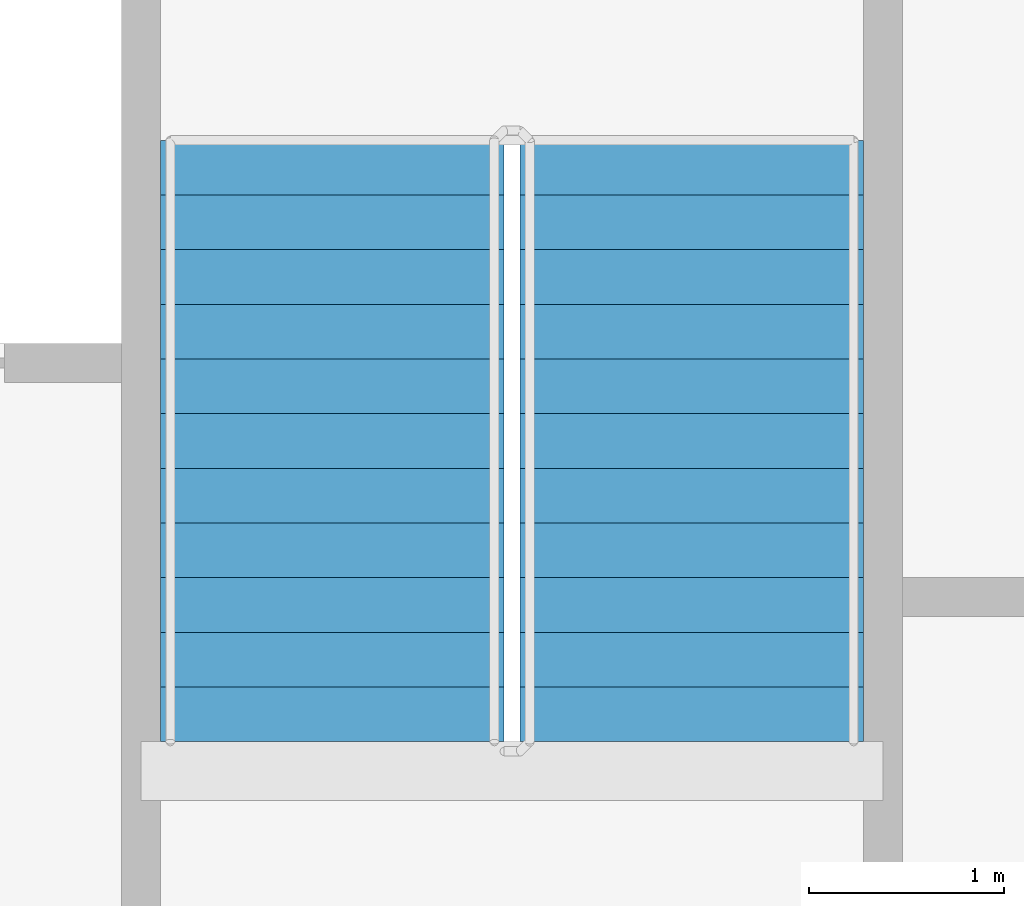
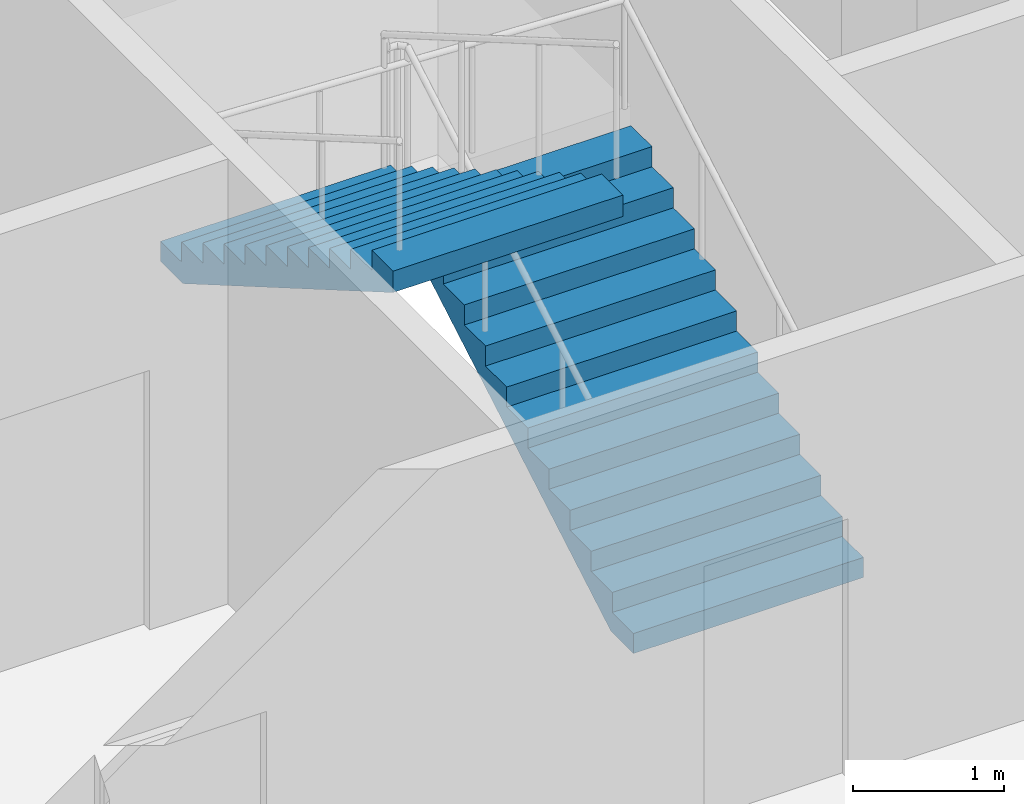
# One storey, part 10 of 12: 2 stair flights, 1 element without a shape of its own.
"""IFC4 building model written with IfcOpenShell, lengths in metres."""

import ifcopenshell
import ifcopenshell.guid

model = None  # the IFC model being written
_history = None  # IfcOwnerHistory: only IFC2X3 demands one
_inside = {}  # id of a spatial element -> (the spatial element, [elements in it])
_under = {}  # id of a project, library or spatial element -> (it, [spatial elements below it])
_declared = {}  # id of a project -> (the project, [libraries it declares])
_typed = {}  # id of a type object -> (the type object, [elements of that type])
_made_of = {}  # id of a material, layer set ... -> (it, [elements and type objects made of it])


def new_model(schema):
    """Start an empty IFC model of exactly this schema.

    Asked for "IFC4X3", IfcOpenShell would pick the latest addendum, in which some entities
    have other attributes; the version numbers below select the first issue.
    IFC2X3 requires an IfcOwnerHistory on every rooted entity: one is made here for all.
    """
    global model, _history
    if schema == "IFC4X3":
        model = ifcopenshell.file(schema_version=(4, 3, 0, 0))
    else:
        model = ifcopenshell.file(schema=schema)
    _inside.clear()
    _under.clear()
    _declared.clear()
    _typed.clear()
    _made_of.clear()
    _history = None
    if model.schema == "IFC2X3":
        org = make("IfcOrganization", Name="unknown")
        user = make(
            "IfcPersonAndOrganization",
            ThePerson=make("IfcPerson", FamilyName="unknown"),
            TheOrganization=org,
        )
        app = make(
            "IfcApplication",
            ApplicationDeveloper=org,
            Version="unknown",
            ApplicationFullName="unknown",
            ApplicationIdentifier="unknown",
        )
        _history = make(
            "IfcOwnerHistory",
            OwningUser=user,
            OwningApplication=app,
            ChangeAction="ADDED",
            CreationDate=0,
        )
    return model


def make(cls, **values):
    """One entity of the class cls with the attributes given. An attribute that is None is left unset."""
    return model.create_entity(
        cls, **{name: value for name, value in values.items() if value is not None}
    )


def rooted(cls, **values):
    """An entity with a GlobalId (a new one), such as an element, a storey or a relation."""
    return make(cls, GlobalId=ifcopenshell.guid.new(), OwnerHistory=_history, **values)


def si_unit(unit_type, name, prefix=None):
    """IfcSIUnit, for example si_unit("LENGTHUNIT", "METRE", prefix="MILLI")."""
    return make("IfcSIUnit", UnitType=unit_type, Prefix=prefix, Name=name)


def assignment(units):
    """IfcUnitAssignment: the units of a project."""
    return None if units is None else make("IfcUnitAssignment", Units=units)


def point(xyz):
    """IfcCartesianPoint."""
    return None if xyz is None else make("IfcCartesianPoint", Coordinates=xyz)


def direction(xyz):
    """IfcDirection."""
    return None if xyz is None else make("IfcDirection", DirectionRatios=xyz)


def frame(location, z_axis=None, x_axis=None):
    """IfcAxis2Placement3D, a coordinate frame: its origin and axes. An axis left out is left unset."""
    return make(
        "IfcAxis2Placement3D",
        Location=point(location),
        Axis=direction(z_axis),
        RefDirection=direction(x_axis),
    )


def origin():
    """The frame at (0, 0, 0) with its axes left unset."""
    return frame((0.0, 0.0, 0.0))


def place(relative_to, where):
    """IfcLocalPlacement: puts the frame where relative to a parent placement (None: the world)."""
    return make(
        "IfcLocalPlacement", PlacementRelTo=relative_to, RelativePlacement=where
    )


def context(
    kind, dimensions, precision=None, world=None, true_north=None, identifier=None
):
    """IfcGeometricRepresentationContext, for example the 3D "Model" context."""
    return make(
        "IfcGeometricRepresentationContext",
        ContextIdentifier=identifier,
        ContextType=kind,
        CoordinateSpaceDimension=dimensions,
        Precision=precision,
        WorldCoordinateSystem=world,
        TrueNorth=true_north,
    )


def subcontext(parent, identifier, kind, view, scale=None):
    """IfcGeometricRepresentationSubContext, for example "Body" below "Model"."""
    return make(
        "IfcGeometricRepresentationSubContext",
        ContextIdentifier=identifier,
        ContextType=kind,
        ParentContext=parent,
        TargetScale=scale,
        TargetView=view,
    )


def project(units=None, contexts=None):
    """IfcProject with its units and contexts."""
    return rooted(
        "IfcProject",
        Name="project",
        RepresentationContexts=contexts,
        UnitsInContext=assignment(units),
    )


def spatial(cls, under=None, at=None, **own):
    """A site, building, storey or space (cls), placed at a placement, below another one or the project."""
    s = rooted(cls, ObjectPlacement=at, **own)
    if under is not None:
        _under.setdefault(under.id(), (under, []))[1].append(s)
    return s


def faces_of(points, faces, orient=None, outer=None):
    """IfcFace entities. A face is a list of loops; a loop is a list of indices into points, from 0.

    orient and outer hold one flag for each loop. By default every Orientation is true, the
    first loop of a face is its IfcFaceOuterBound and the others are IfcFaceBound.
    """
    made = []
    for i, loops in enumerate(faces):
        bounds = []
        for j, loop in enumerate(loops):
            is_outer = j == 0 if outer is None else outer[i][j]
            bounds.append(
                make(
                    "IfcFaceOuterBound" if is_outer else "IfcFaceBound",
                    Bound=make("IfcPolyLoop", Polygon=[points[k] for k in loop]),
                    Orientation=True if orient is None else orient[i][j],
                )
            )
        made.append(make("IfcFace", Bounds=bounds))
    return made


def faceted_brep(points, faces, orient=None, outer=None, voids=None):
    """IfcFacetedBrep: a solid bounded by flat faces; with voids (closed shells), ...WithVoids."""
    shared = [point(p) for p in points]
    hull = make("IfcClosedShell", CfsFaces=faces_of(shared, faces, orient, outer))
    if voids is None:
        return make("IfcFacetedBrep", Outer=hull)
    return make(
        "IfcFacetedBrepWithVoids",
        Outer=hull,
        Voids=[
            make(cls, CfsFaces=faces_of(shared, fs, o, b)) for cls, fs, o, b in voids
        ],
    )


def shape(context_of_items, identifier, shape_type, items):
    """IfcShapeRepresentation: the items that make up one representation, for example the "Body"."""
    return make(
        "IfcShapeRepresentation",
        ContextOfItems=context_of_items,
        RepresentationIdentifier=identifier,
        RepresentationType=shape_type,
        Items=items,
    )


def material(Name=None, Category=None):
    """IfcMaterial."""
    return make("IfcMaterial", Name=Name, Category=Category)


def made_of(thing, what):
    """Note that an element or type object is made of a material, layer set ...; save() writes the relation."""
    if what is not None:
        _made_of.setdefault(what.id(), (what, []))[1].append(thing)
    return thing


def type_object(cls, material=None, **own):
    """A type object (cls), such as IfcWallType, which elements share."""
    return made_of(rooted(cls, **own), material)


def element(
    cls,
    number,
    at=None,
    inside=None,
    cuts=None,
    type_object=None,
    material=None,
    context=None,
    identifier="Body",
    shape_type=None,
    held_by="IfcProductDefinitionShape",
    body=None,
    shapes=None,
    **own,
):
    """One element of the class cls, such as IfcWall. Its Tag is "e" and its number.

    at: its placement. inside: the storey or other place that contains it. cuts: it is an
    opening in that element (IfcRelVoidsElement). A single representation is given by context,
    identifier, shape_type and body (its items); several are given by shapes. held_by: the class
    of the entity that holds the representations. save() writes the other relations.
    """
    e = rooted(cls, Tag="e%d" % number, ObjectPlacement=at, **own)
    if body is not None:
        shapes = [shape(context, identifier, shape_type, body)]
    if shapes is not None:
        e.Representation = make(held_by, Representations=shapes)
    if inside is not None:
        _inside.setdefault(inside.id(), (inside, []))[1].append(e)
    if cuts is not None:
        rooted(
            "IfcRelVoidsElement", RelatingBuildingElement=cuts, RelatedOpeningElement=e
        )
    if type_object is not None:
        _typed.setdefault(type_object.id(), (type_object, []))[1].append(e)
    return made_of(e, material)


def aggregate(whole, parts):
    """IfcRelAggregates: a whole, such as a stair, and the parts it consists of."""
    return rooted("IfcRelAggregates", RelatingObject=whole, RelatedObjects=parts)


def save(model, path):
    """Write the relations noted so far, then the file.

    IfcRelAggregates (storeys below a building ...), IfcRelContainedInSpatialStructure (elements
    in a storey), IfcRelDefinesByType, IfcRelAssociatesMaterial and IfcRelDeclares: one each for
    every whole, place, type object, material and project.
    """
    for whole, parts in _under.values():
        aggregate(whole, parts)
    for where, things in _inside.values():
        rooted(
            "IfcRelContainedInSpatialStructure",
            RelatedElements=things,
            RelatingStructure=where,
        )
    for kind, things in _typed.values():
        rooted("IfcRelDefinesByType", RelatedObjects=things, RelatingType=kind)
    for what, things in _made_of.values():
        rooted("IfcRelAssociatesMaterial", RelatedObjects=things, RelatingMaterial=what)
    for by, libraries in _declared.values():
        rooted("IfcRelDeclares", RelatingContext=by, RelatedDefinitions=libraries)
    model.write(path)


model = new_model("IFC4")

# Units and contexts
model_context = context("Model", 3, precision=1e-05, world=origin(), true_north=direction((0.0, 1.0)))
body_context = subcontext(model_context, "Body", "Model", "MODEL_VIEW")
ifc_project = project(units=[si_unit("LENGTHUNIT", "METRE"), si_unit("AREAUNIT", "SQUARE_METRE"), si_unit("VOLUMEUNIT", "CUBIC_METRE"), si_unit("PLANEANGLEUNIT", "RADIAN"), si_unit("MASSUNIT", "GRAM", prefix="KILO")], contexts=[model_context])

# Site, building, storey
site_placement = place(None, origin())
site = spatial("IfcSite", under=ifc_project, at=site_placement, CompositionType="ELEMENT")
building_placement = place(site_placement, origin())
building = spatial("IfcBuilding", under=site, at=building_placement, Name="Tarsis Ring Headquarters", CompositionType="ELEMENT")
storey_placement = place(building_placement, frame((0.0, 0.0, 82.89990234375)))
storey = spatial("IfcBuildingStorey", under=building, at=storey_placement, Name="L18", CompositionType="ELEMENT", Elevation=82.89990234375)

# Stair, stair flights
ifc_material_1 = material(Name="Core stair 1760")
stair_type = type_object("IfcStairType", Name="Core stair 1760", PredefinedType="HALF_TURN_STAIR", material=ifc_material_1)
stair_placement = place(storey_placement, origin())
stair = element("IfcStair", 1, at=stair_placement, inside=storey, type_object=stair_type, Name="L18 Exit stair B", PredefinedType="HALF_TURN_STAIR")
ifc_material_2 = material(Name="Concrete C40/50", Category="concrete")
stair_flight_type = type_object("IfcStairFlightType", Name="Core stair flight 1760", PredefinedType="STRAIGHT", material=ifc_material_2)
stair_flight_1_placement = place(storey_placement, frame((5.419921875, 3.659912109375, 0.0), z_axis=(0.0, 0.0, 1.0), x_axis=(0.0, 1.0, 0.0)))
stair_flight_1 = element("IfcStairFlight", 2, at=stair_flight_1_placement, type_object=stair_flight_type, Name="Stair ST2 flight 1", NumberOfRisers=12, NumberOfTreads=11, PredefinedType="STRAIGHT", RiserHeight=0.1625, TreadLength=0.28, context=body_context, shape_type="Brep", body=[
    faceted_brep([(0.0, 0.8798828125, 0.0), (0.0, 0.8798828125, 0.16259765625), (0.280029296875, 0.8798828125, 0.16259765625), (0.280029296875, 0.8798828125, 0.324951171875), (0.56005859375, 0.8798828125, 0.324951171875), (0.56005859375, 0.8798828125, 0.487548828125), (0.840087890625, 0.8798828125, 0.487548828125), (0.840087890625, 0.8798828125, 0.64990234375), (1.1201171875, 0.8798828125, 0.64990234375), (1.1201171875, 0.8798828125, 0.8125), (1.39990234375, 0.8798828125, 0.8125), (1.39990234375, 0.8798828125, 0.97509765625), (1.679931640625, 0.8798828125, 0.97509765625), (1.679931640625, 0.8798828125, 1.137451171875), (1.9599609375, 0.8798828125, 1.137451171875), (1.9599609375, 0.8798828125, 1.300048828125), (2.239990234375, 0.8798828125, 1.300048828125), (2.239990234375, 0.8798828125, 1.46240234375), (2.52001953125, 0.8798828125, 1.46240234375), (2.52001953125, 0.8798828125, 1.625), (2.800048828125, 0.8798828125, 1.625), (2.800048828125, 0.8798828125, 1.78759765625), (3.080078125, 0.8798828125, 1.78759765625), (3.080078125, 0.8798828125, 1.6142578125), (0.298583984375, 0.8798828125, 0.0), (0.298583984375, -0.8798828125, 0.0), (3.080078125, -0.8798828125, 1.6142578125), (3.080078125, -0.8798828125, 1.78759765625), (2.800048828125, -0.8798828125, 1.78759765625), (2.800048828125, -0.8798828125, 1.625), (2.52001953125, -0.8798828125, 1.625), (2.52001953125, -0.8798828125, 1.46240234375), (2.239990234375, -0.8798828125, 1.46240234375), (2.239990234375, -0.8798828125, 1.300048828125), (1.9599609375, -0.8798828125, 1.300048828125), (1.9599609375, -0.8798828125, 1.137451171875), (1.679931640625, -0.8798828125, 1.137451171875), (1.679931640625, -0.8798828125, 0.97509765625), (1.39990234375, -0.8798828125, 0.97509765625), (1.39990234375, -0.8798828125, 0.8125), (1.1201171875, -0.8798828125, 0.8125), (1.1201171875, -0.8798828125, 0.64990234375), (0.840087890625, -0.8798828125, 0.64990234375), (0.840087890625, -0.8798828125, 0.487548828125), (0.56005859375, -0.8798828125, 0.487548828125), (0.56005859375, -0.8798828125, 0.324951171875), (0.280029296875, -0.8798828125, 0.324951171875), (0.280029296875, -0.8798828125, 0.16259765625), (0.0, -0.8798828125, 0.16259765625), (0.0, -0.8798828125, 0.0), (0.0, -0.43994140625, 0.16259765625), (0.0, -0.43994140625, 0.0), (0.0, 0.0, 0.16259765625), (0.0, 0.0, 0.0), (0.0, 0.43994140625, 0.16259765625), (0.0, 0.43994140625, 0.0), (0.280029296875, -0.43994140625, 0.16259765625), (0.280029296875, 0.0, 0.16259765625), (0.280029296875, 0.43994140625, 0.16259765625), (0.280029296875, -0.43994140625, 0.324951171875), (0.280029296875, 0.0, 0.324951171875), (0.280029296875, 0.43994140625, 0.324951171875), (0.56005859375, -0.43994140625, 0.324951171875), (0.56005859375, 0.0, 0.324951171875), (0.56005859375, 0.43994140625, 0.324951171875), (0.56005859375, -0.43994140625, 0.487548828125), (0.56005859375, 0.0, 0.487548828125), (0.56005859375, 0.43994140625, 0.487548828125), (0.840087890625, -0.43994140625, 0.487548828125), (0.840087890625, 0.0, 0.487548828125), (0.840087890625, 0.43994140625, 0.487548828125), (0.840087890625, -0.43994140625, 0.64990234375), (0.840087890625, 0.0, 0.64990234375), (0.840087890625, 0.43994140625, 0.64990234375), (1.1201171875, -0.43994140625, 0.64990234375), (1.1201171875, 0.0, 0.64990234375), (1.1201171875, 0.43994140625, 0.64990234375), (1.1201171875, -0.43994140625, 0.8125), (1.1201171875, 0.0, 0.8125), (1.1201171875, 0.43994140625, 0.8125), (1.39990234375, -0.43994140625, 0.8125), (1.39990234375, 0.0, 0.8125), (1.39990234375, 0.43994140625, 0.8125), (1.39990234375, -0.43994140625, 0.97509765625), (1.39990234375, 0.0, 0.97509765625), (1.39990234375, 0.43994140625, 0.97509765625), (1.679931640625, -0.43994140625, 0.97509765625), (1.679931640625, 0.0, 0.97509765625), (1.679931640625, 0.43994140625, 0.97509765625), (1.679931640625, -0.43994140625, 1.137451171875), (1.679931640625, 0.0, 1.137451171875), (1.679931640625, 0.43994140625, 1.137451171875), (1.9599609375, -0.43994140625, 1.137451171875), (1.9599609375, 0.0, 1.137451171875), (1.9599609375, 0.43994140625, 1.137451171875), (1.9599609375, -0.43994140625, 1.300048828125), (1.9599609375, 0.0, 1.300048828125), (1.9599609375, 0.43994140625, 1.300048828125), (2.239990234375, -0.43994140625, 1.300048828125), (2.239990234375, 0.0, 1.300048828125), (2.239990234375, 0.43994140625, 1.300048828125), (2.239990234375, -0.43994140625, 1.46240234375), (2.239990234375, 0.0, 1.46240234375), (2.239990234375, 0.43994140625, 1.46240234375), (2.52001953125, -0.43994140625, 1.46240234375), (2.52001953125, 0.0, 1.46240234375), (2.52001953125, 0.43994140625, 1.46240234375), (2.52001953125, -0.43994140625, 1.625), (2.52001953125, 0.0, 1.625), (2.52001953125, 0.43994140625, 1.625), (2.800048828125, -0.43994140625, 1.625), (2.800048828125, 0.0, 1.625), (2.800048828125, 0.43994140625, 1.625), (2.800048828125, -0.43994140625, 1.78759765625), (2.800048828125, 0.0, 1.78759765625), (2.800048828125, 0.43994140625, 1.78759765625), (3.080078125, -0.43994140625, 1.78759765625), (3.080078125, 0.0, 1.78759765625), (3.080078125, 0.43994140625, 1.78759765625), (3.080078125, -0.43994140625, 1.6142578125), (3.080078125, 0.0, 1.6142578125), (3.080078125, 0.43994140625, 1.6142578125), (0.298583984375, -0.43994140625, 0.0), (0.298583984375, 0.0, 0.0), (0.298583984375, 0.43994140625, 0.0)], [[[0, 1, 2, 3, 4, 5, 6, 7, 8, 9, 10, 11, 12, 13, 14, 15, 16, 17, 18, 19, 20, 21, 22, 23, 24]], [[25, 26, 27, 28, 29, 30, 31, 32, 33, 34, 35, 36, 37, 38, 39, 40, 41, 42, 43, 44, 45, 46, 47, 48, 49]], [[49, 48, 50, 51]], [[51, 50, 52, 53]], [[53, 52, 54, 55]], [[55, 54, 1, 0]], [[48, 47, 56, 50]], [[50, 56, 57, 52]], [[52, 57, 58, 54]], [[54, 58, 2, 1]], [[47, 46, 59, 56]], [[56, 59, 60, 57]], [[57, 60, 61, 58]], [[58, 61, 3, 2]], [[46, 45, 62, 59]], [[59, 62, 63, 60]], [[60, 63, 64, 61]], [[61, 64, 4, 3]], [[45, 44, 65, 62]], [[62, 65, 66, 63]], [[63, 66, 67, 64]], [[64, 67, 5, 4]], [[44, 43, 68, 65]], [[65, 68, 69, 66]], [[66, 69, 70, 67]], [[67, 70, 6, 5]], [[43, 42, 71, 68]], [[68, 71, 72, 69]], [[69, 72, 73, 70]], [[70, 73, 7, 6]], [[42, 41, 74, 71]], [[71, 74, 75, 72]], [[72, 75, 76, 73]], [[73, 76, 8, 7]], [[41, 40, 77, 74]], [[74, 77, 78, 75]], [[75, 78, 79, 76]], [[76, 79, 9, 8]], [[40, 39, 80, 77]], [[77, 80, 81, 78]], [[78, 81, 82, 79]], [[79, 82, 10, 9]], [[39, 38, 83, 80]], [[80, 83, 84, 81]], [[81, 84, 85, 82]], [[82, 85, 11, 10]], [[38, 37, 86, 83]], [[83, 86, 87, 84]], [[84, 87, 88, 85]], [[85, 88, 12, 11]], [[37, 36, 89, 86]], [[86, 89, 90, 87]], [[87, 90, 91, 88]], [[88, 91, 13, 12]], [[36, 35, 92, 89]], [[89, 92, 93, 90]], [[90, 93, 94, 91]], [[91, 94, 14, 13]], [[35, 34, 95, 92]], [[92, 95, 96, 93]], [[93, 96, 97, 94]], [[94, 97, 15, 14]], [[34, 33, 98, 95]], [[95, 98, 99, 96]], [[96, 99, 100, 97]], [[97, 100, 16, 15]], [[33, 32, 101, 98]], [[98, 101, 102, 99]], [[99, 102, 103, 100]], [[100, 103, 17, 16]], [[32, 31, 104, 101]], [[101, 104, 105, 102]], [[102, 105, 106, 103]], [[103, 106, 18, 17]], [[31, 30, 107, 104]], [[104, 107, 108, 105]], [[105, 108, 109, 106]], [[106, 109, 19, 18]], [[30, 29, 110, 107]], [[107, 110, 111, 108]], [[108, 111, 112, 109]], [[109, 112, 20, 19]], [[29, 28, 113, 110]], [[110, 113, 114, 111]], [[111, 114, 115, 112]], [[112, 115, 21, 20]], [[28, 27, 116, 113]], [[113, 116, 117, 114]], [[114, 117, 118, 115]], [[115, 118, 22, 21]], [[27, 26, 119, 116]], [[116, 119, 120, 117]], [[117, 120, 121, 118]], [[118, 121, 23, 22]], [[26, 25, 122, 119]], [[119, 122, 123, 120]], [[120, 123, 124, 121]], [[121, 124, 24, 23]], [[25, 49, 51, 122]], [[122, 51, 53, 123]], [[123, 53, 55, 124]], [[124, 55, 0, 24]]]),
])
stair_flight_2_placement = place(storey_placement, frame((3.580078125, 6.739990234375, 1.9501953125), z_axis=(0.0, 0.0, 1.0), x_axis=(0.0, -1.0, 0.0)))
stair_flight_2 = element("IfcStairFlight", 3, at=stair_flight_2_placement, type_object=stair_flight_type, Name="Stair ST2 flight 2", NumberOfRisers=12, NumberOfTreads=11, PredefinedType="STRAIGHT", RiserHeight=0.1625, TreadLength=0.28, context=body_context, shape_type="Brep", body=[
    faceted_brep([(0.0, 0.8798828125, 0.0), (0.0, 0.8798828125, 0.16259765625), (0.280029296875, 0.8798828125, 0.16259765625), (0.280029296875, 0.8798828125, 0.324951171875), (0.56005859375, 0.8798828125, 0.324951171875), (0.56005859375, 0.8798828125, 0.487548828125), (0.840087890625, 0.8798828125, 0.487548828125), (0.840087890625, 0.8798828125, 0.64990234375), (1.1201171875, 0.8798828125, 0.64990234375), (1.1201171875, 0.8798828125, 0.8125), (1.39990234375, 0.8798828125, 0.8125), (1.39990234375, 0.8798828125, 0.97509765625), (1.679931640625, 0.8798828125, 0.97509765625), (1.679931640625, 0.8798828125, 1.137451171875), (1.9599609375, 0.8798828125, 1.137451171875), (1.9599609375, 0.8798828125, 1.300048828125), (2.239990234375, 0.8798828125, 1.300048828125), (2.239990234375, 0.8798828125, 1.46240234375), (2.52001953125, 0.8798828125, 1.46240234375), (2.52001953125, 0.8798828125, 1.625), (2.800048828125, 0.8798828125, 1.625), (2.800048828125, 0.8798828125, 1.78759765625), (3.080078125, 0.8798828125, 1.78759765625), (3.080078125, 0.8798828125, 1.6142578125), (0.298583984375, 0.8798828125, 0.0), (0.298583984375, -0.8798828125, 0.0), (3.080078125, -0.8798828125, 1.6142578125), (3.080078125, -0.8798828125, 1.78759765625), (2.800048828125, -0.8798828125, 1.78759765625), (2.800048828125, -0.8798828125, 1.625), (2.52001953125, -0.8798828125, 1.625), (2.52001953125, -0.8798828125, 1.46240234375), (2.239990234375, -0.8798828125, 1.46240234375), (2.239990234375, -0.8798828125, 1.300048828125), (1.9599609375, -0.8798828125, 1.300048828125), (1.9599609375, -0.8798828125, 1.137451171875), (1.679931640625, -0.8798828125, 1.137451171875), (1.679931640625, -0.8798828125, 0.97509765625), (1.39990234375, -0.8798828125, 0.97509765625), (1.39990234375, -0.8798828125, 0.8125), (1.1201171875, -0.8798828125, 0.8125), (1.1201171875, -0.8798828125, 0.64990234375), (0.840087890625, -0.8798828125, 0.64990234375), (0.840087890625, -0.8798828125, 0.487548828125), (0.56005859375, -0.8798828125, 0.487548828125), (0.56005859375, -0.8798828125, 0.324951171875), (0.280029296875, -0.8798828125, 0.324951171875), (0.280029296875, -0.8798828125, 0.16259765625), (0.0, -0.8798828125, 0.16259765625), (0.0, -0.8798828125, 0.0), (0.0, -0.43994140625, 0.16259765625), (0.0, -0.43994140625, 0.0), (0.0, 0.0, 0.16259765625), (0.0, 0.0, 0.0), (0.0, 0.43994140625, 0.16259765625), (0.0, 0.43994140625, 0.0), (0.280029296875, -0.43994140625, 0.16259765625), (0.280029296875, 0.0, 0.16259765625), (0.280029296875, 0.43994140625, 0.16259765625), (0.280029296875, -0.43994140625, 0.324951171875), (0.280029296875, 0.0, 0.324951171875), (0.280029296875, 0.43994140625, 0.324951171875), (0.56005859375, -0.43994140625, 0.324951171875), (0.56005859375, 0.0, 0.324951171875), (0.56005859375, 0.43994140625, 0.324951171875), (0.56005859375, -0.43994140625, 0.487548828125), (0.56005859375, 0.0, 0.487548828125), (0.56005859375, 0.43994140625, 0.487548828125), (0.840087890625, -0.43994140625, 0.487548828125), (0.840087890625, 0.0, 0.487548828125), (0.840087890625, 0.43994140625, 0.487548828125), (0.840087890625, -0.43994140625, 0.64990234375), (0.840087890625, 0.0, 0.64990234375), (0.840087890625, 0.43994140625, 0.64990234375), (1.1201171875, -0.43994140625, 0.64990234375), (1.1201171875, 0.0, 0.64990234375), (1.1201171875, 0.43994140625, 0.64990234375), (1.1201171875, -0.43994140625, 0.8125), (1.1201171875, 0.0, 0.8125), (1.1201171875, 0.43994140625, 0.8125), (1.39990234375, -0.43994140625, 0.8125), (1.39990234375, 0.0, 0.8125), (1.39990234375, 0.43994140625, 0.8125), (1.39990234375, -0.43994140625, 0.97509765625), (1.39990234375, 0.0, 0.97509765625), (1.39990234375, 0.43994140625, 0.97509765625), (1.679931640625, -0.43994140625, 0.97509765625), (1.679931640625, 0.0, 0.97509765625), (1.679931640625, 0.43994140625, 0.97509765625), (1.679931640625, -0.43994140625, 1.137451171875), (1.679931640625, 0.0, 1.137451171875), (1.679931640625, 0.43994140625, 1.137451171875), (1.9599609375, -0.43994140625, 1.137451171875), (1.9599609375, 0.0, 1.137451171875), (1.9599609375, 0.43994140625, 1.137451171875), (1.9599609375, -0.43994140625, 1.300048828125), (1.9599609375, 0.0, 1.300048828125), (1.9599609375, 0.43994140625, 1.300048828125), (2.239990234375, -0.43994140625, 1.300048828125), (2.239990234375, 0.0, 1.300048828125), (2.239990234375, 0.43994140625, 1.300048828125), (2.239990234375, -0.43994140625, 1.46240234375), (2.239990234375, 0.0, 1.46240234375), (2.239990234375, 0.43994140625, 1.46240234375), (2.52001953125, -0.43994140625, 1.46240234375), (2.52001953125, 0.0, 1.46240234375), (2.52001953125, 0.43994140625, 1.46240234375), (2.52001953125, -0.43994140625, 1.625), (2.52001953125, 0.0, 1.625), (2.52001953125, 0.43994140625, 1.625), (2.800048828125, -0.43994140625, 1.625), (2.800048828125, 0.0, 1.625), (2.800048828125, 0.43994140625, 1.625), (2.800048828125, -0.43994140625, 1.78759765625), (2.800048828125, 0.0, 1.78759765625), (2.800048828125, 0.43994140625, 1.78759765625), (3.080078125, -0.43994140625, 1.78759765625), (3.080078125, 0.0, 1.78759765625), (3.080078125, 0.43994140625, 1.78759765625), (3.080078125, -0.43994140625, 1.6142578125), (3.080078125, 0.0, 1.6142578125), (3.080078125, 0.43994140625, 1.6142578125), (0.298583984375, -0.43994140625, 0.0), (0.298583984375, 0.0, 0.0), (0.298583984375, 0.43994140625, 0.0)], [[[0, 1, 2, 3, 4, 5, 6, 7, 8, 9, 10, 11, 12, 13, 14, 15, 16, 17, 18, 19, 20, 21, 22, 23, 24]], [[25, 26, 27, 28, 29, 30, 31, 32, 33, 34, 35, 36, 37, 38, 39, 40, 41, 42, 43, 44, 45, 46, 47, 48, 49]], [[49, 48, 50, 51]], [[51, 50, 52, 53]], [[53, 52, 54, 55]], [[55, 54, 1, 0]], [[48, 47, 56, 50]], [[50, 56, 57, 52]], [[52, 57, 58, 54]], [[54, 58, 2, 1]], [[47, 46, 59, 56]], [[56, 59, 60, 57]], [[57, 60, 61, 58]], [[58, 61, 3, 2]], [[46, 45, 62, 59]], [[59, 62, 63, 60]], [[60, 63, 64, 61]], [[61, 64, 4, 3]], [[45, 44, 65, 62]], [[62, 65, 66, 63]], [[63, 66, 67, 64]], [[64, 67, 5, 4]], [[44, 43, 68, 65]], [[65, 68, 69, 66]], [[66, 69, 70, 67]], [[67, 70, 6, 5]], [[43, 42, 71, 68]], [[68, 71, 72, 69]], [[69, 72, 73, 70]], [[70, 73, 7, 6]], [[42, 41, 74, 71]], [[71, 74, 75, 72]], [[72, 75, 76, 73]], [[73, 76, 8, 7]], [[41, 40, 77, 74]], [[74, 77, 78, 75]], [[75, 78, 79, 76]], [[76, 79, 9, 8]], [[40, 39, 80, 77]], [[77, 80, 81, 78]], [[78, 81, 82, 79]], [[79, 82, 10, 9]], [[39, 38, 83, 80]], [[80, 83, 84, 81]], [[81, 84, 85, 82]], [[82, 85, 11, 10]], [[38, 37, 86, 83]], [[83, 86, 87, 84]], [[84, 87, 88, 85]], [[85, 88, 12, 11]], [[37, 36, 89, 86]], [[86, 89, 90, 87]], [[87, 90, 91, 88]], [[88, 91, 13, 12]], [[36, 35, 92, 89]], [[89, 92, 93, 90]], [[90, 93, 94, 91]], [[91, 94, 14, 13]], [[35, 34, 95, 92]], [[92, 95, 96, 93]], [[93, 96, 97, 94]], [[94, 97, 15, 14]], [[34, 33, 98, 95]], [[95, 98, 99, 96]], [[96, 99, 100, 97]], [[97, 100, 16, 15]], [[33, 32, 101, 98]], [[98, 101, 102, 99]], [[99, 102, 103, 100]], [[100, 103, 17, 16]], [[32, 31, 104, 101]], [[101, 104, 105, 102]], [[102, 105, 106, 103]], [[103, 106, 18, 17]], [[31, 30, 107, 104]], [[104, 107, 108, 105]], [[105, 108, 109, 106]], [[106, 109, 19, 18]], [[30, 29, 110, 107]], [[107, 110, 111, 108]], [[108, 111, 112, 109]], [[109, 112, 20, 19]], [[29, 28, 113, 110]], [[110, 113, 114, 111]], [[111, 114, 115, 112]], [[112, 115, 21, 20]], [[28, 27, 116, 113]], [[113, 116, 117, 114]], [[114, 117, 118, 115]], [[115, 118, 22, 21]], [[27, 26, 119, 116]], [[116, 119, 120, 117]], [[117, 120, 121, 118]], [[118, 121, 23, 22]], [[26, 25, 122, 119]], [[119, 122, 123, 120]], [[120, 123, 124, 121]], [[121, 124, 24, 23]], [[25, 49, 51, 122]], [[122, 51, 53, 123]], [[123, 53, 55, 124]], [[124, 55, 0, 24]]]),
])
aggregate(stair, [stair_flight_1, stair_flight_2])

save(model, "model.ifc")
